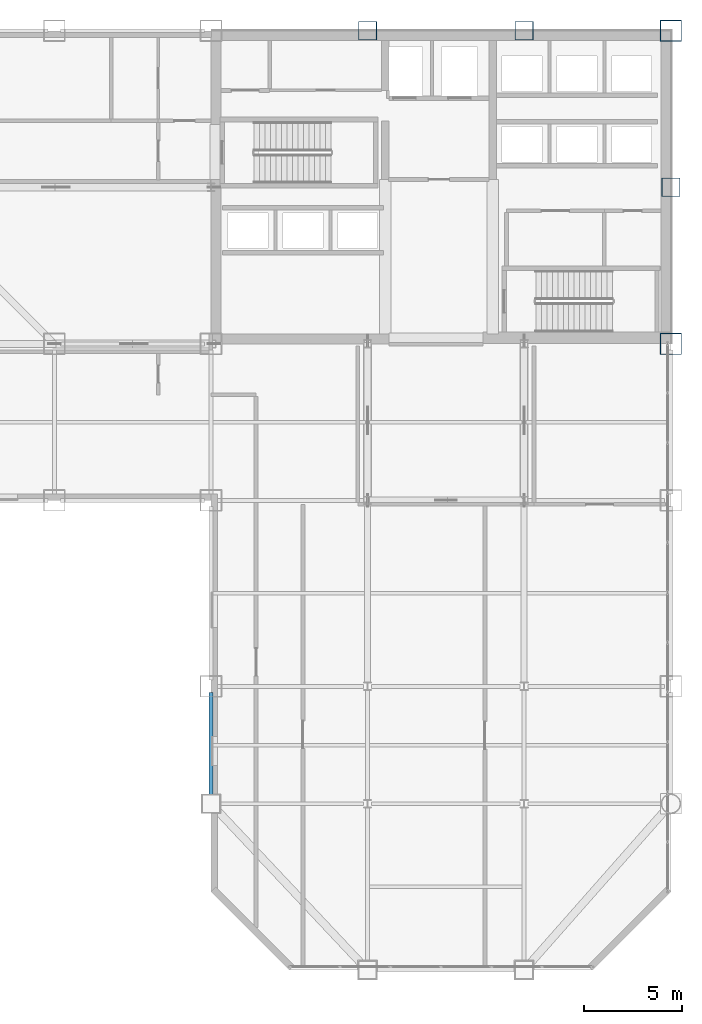
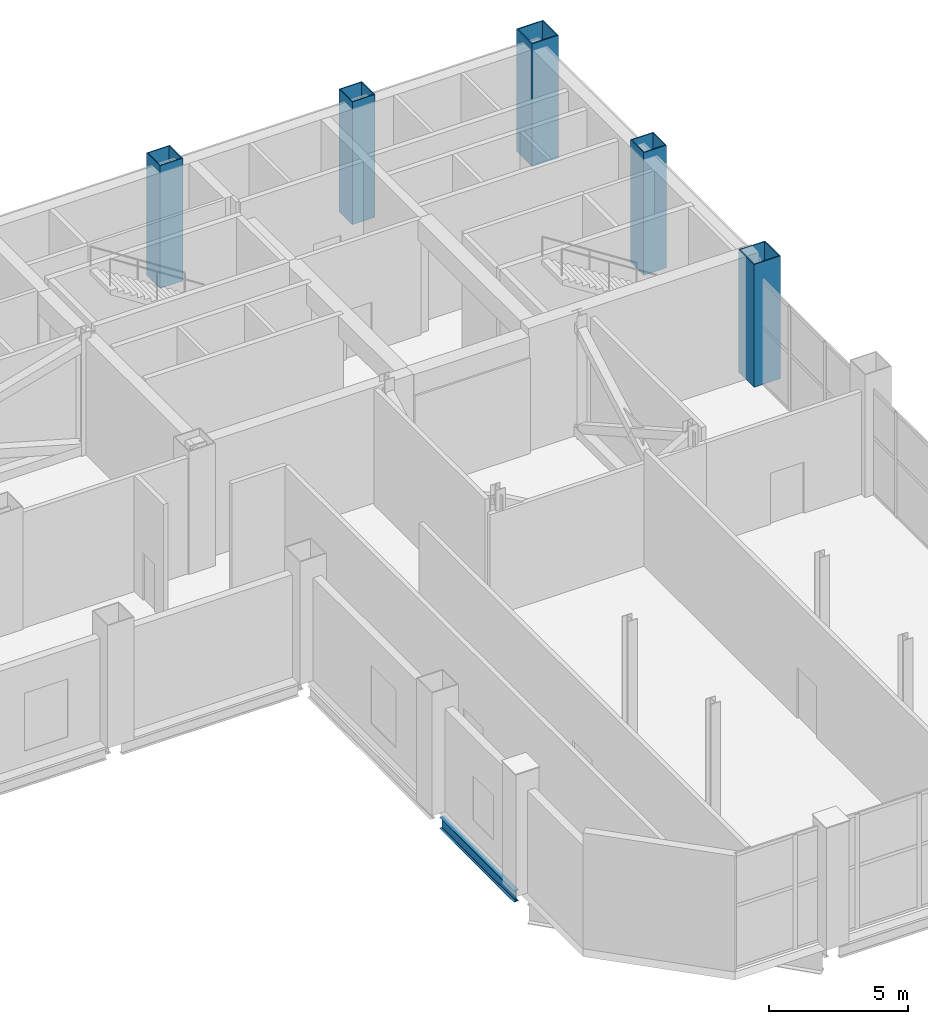
# One storey, part 4 of 24: 5 columns, 1 beam.
"""IFC4 building model written with IfcOpenShell, lengths in metres."""

import ifcopenshell
import ifcopenshell.guid

model = None  # the IFC model being written
_history = None  # IfcOwnerHistory: only IFC2X3 demands one
_inside = {}  # id of a spatial element -> (the spatial element, [elements in it])
_under = {}  # id of a project, library or spatial element -> (it, [spatial elements below it])
_declared = {}  # id of a project -> (the project, [libraries it declares])
_typed = {}  # id of a type object -> (the type object, [elements of that type])
_made_of = {}  # id of a material, layer set ... -> (it, [elements and type objects made of it])


def new_model(schema):
    """Start an empty IFC model of exactly this schema.

    Asked for "IFC4X3", IfcOpenShell would pick the latest addendum, in which some entities
    have other attributes; the version numbers below select the first issue.
    IFC2X3 requires an IfcOwnerHistory on every rooted entity: one is made here for all.
    """
    global model, _history
    if schema == "IFC4X3":
        model = ifcopenshell.file(schema_version=(4, 3, 0, 0))
    else:
        model = ifcopenshell.file(schema=schema)
    _inside.clear()
    _under.clear()
    _declared.clear()
    _typed.clear()
    _made_of.clear()
    _history = None
    if model.schema == "IFC2X3":
        org = make("IfcOrganization", Name="unknown")
        user = make(
            "IfcPersonAndOrganization",
            ThePerson=make("IfcPerson", FamilyName="unknown"),
            TheOrganization=org,
        )
        app = make(
            "IfcApplication",
            ApplicationDeveloper=org,
            Version="unknown",
            ApplicationFullName="unknown",
            ApplicationIdentifier="unknown",
        )
        _history = make(
            "IfcOwnerHistory",
            OwningUser=user,
            OwningApplication=app,
            ChangeAction="ADDED",
            CreationDate=0,
        )
    return model


def make(cls, **values):
    """One entity of the class cls with the attributes given. An attribute that is None is left unset."""
    return model.create_entity(
        cls, **{name: value for name, value in values.items() if value is not None}
    )


def rooted(cls, **values):
    """An entity with a GlobalId (a new one), such as an element, a storey or a relation."""
    return make(cls, GlobalId=ifcopenshell.guid.new(), OwnerHistory=_history, **values)


def si_unit(unit_type, name, prefix=None):
    """IfcSIUnit, for example si_unit("LENGTHUNIT", "METRE", prefix="MILLI")."""
    return make("IfcSIUnit", UnitType=unit_type, Prefix=prefix, Name=name)


def assignment(units):
    """IfcUnitAssignment: the units of a project."""
    return None if units is None else make("IfcUnitAssignment", Units=units)


def point(xyz):
    """IfcCartesianPoint."""
    return None if xyz is None else make("IfcCartesianPoint", Coordinates=xyz)


def direction(xyz):
    """IfcDirection."""
    return None if xyz is None else make("IfcDirection", DirectionRatios=xyz)


def frame(location, z_axis=None, x_axis=None):
    """IfcAxis2Placement3D, a coordinate frame: its origin and axes. An axis left out is left unset."""
    return make(
        "IfcAxis2Placement3D",
        Location=point(location),
        Axis=direction(z_axis),
        RefDirection=direction(x_axis),
    )


def frame_2d(location, x_axis=None):
    """IfcAxis2Placement2D, a coordinate frame in the plane: its origin and x axis."""
    return make(
        "IfcAxis2Placement2D", Location=point(location), RefDirection=direction(x_axis)
    )


def origin():
    """The frame at (0, 0, 0) with its axes left unset."""
    return frame((0.0, 0.0, 0.0))


def origin_2d():
    """The frame at (0, 0) in the plane with its x axis left unset."""
    return frame_2d((0.0, 0.0))


def place(relative_to, where):
    """IfcLocalPlacement: puts the frame where relative to a parent placement (None: the world)."""
    return make(
        "IfcLocalPlacement", PlacementRelTo=relative_to, RelativePlacement=where
    )


def context(
    kind, dimensions, precision=None, world=None, true_north=None, identifier=None
):
    """IfcGeometricRepresentationContext, for example the 3D "Model" context."""
    return make(
        "IfcGeometricRepresentationContext",
        ContextIdentifier=identifier,
        ContextType=kind,
        CoordinateSpaceDimension=dimensions,
        Precision=precision,
        WorldCoordinateSystem=world,
        TrueNorth=true_north,
    )


def subcontext(parent, identifier, kind, view, scale=None):
    """IfcGeometricRepresentationSubContext, for example "Body" below "Model"."""
    return make(
        "IfcGeometricRepresentationSubContext",
        ContextIdentifier=identifier,
        ContextType=kind,
        ParentContext=parent,
        TargetScale=scale,
        TargetView=view,
    )


def project(units=None, contexts=None):
    """IfcProject with its units and contexts."""
    return rooted(
        "IfcProject",
        Name="project",
        RepresentationContexts=contexts,
        UnitsInContext=assignment(units),
    )


def spatial(cls, under=None, at=None, **own):
    """A site, building, storey or space (cls), placed at a placement, below another one or the project."""
    s = rooted(cls, ObjectPlacement=at, **own)
    if under is not None:
        _under.setdefault(under.id(), (under, []))[1].append(s)
    return s


def profile(cls, at=None, kind="AREA", **sizes):
    """A parametric profile (cls). Its sizes go by their IFC names, for example OverallWidth=200.0."""
    return make(cls, ProfileType=kind, Position=at, **sizes)


def hollow_rectangle(**sizes):
    """IfcRectangleHollowProfileDef."""
    return profile("IfcRectangleHollowProfileDef", **sizes)


def i_section(**sizes):
    """IfcIShapeProfileDef."""
    return profile("IfcIShapeProfileDef", **sizes)


def extrude(swept, where, along, depth):
    """IfcExtrudedAreaSolid: the profile swept, set in the frame where, extruded along a direction by depth."""
    return make(
        "IfcExtrudedAreaSolid",
        SweptArea=swept,
        Position=where,
        ExtrudedDirection=direction(along),
        Depth=depth,
    )


def shape(context_of_items, identifier, shape_type, items):
    """IfcShapeRepresentation: the items that make up one representation, for example the "Body"."""
    return make(
        "IfcShapeRepresentation",
        ContextOfItems=context_of_items,
        RepresentationIdentifier=identifier,
        RepresentationType=shape_type,
        Items=items,
    )


def material(Name=None, Category=None):
    """IfcMaterial."""
    return make("IfcMaterial", Name=Name, Category=Category)


def material_profile(
    of_material, cross_section, Name=None, Category=None, Priority=None
):
    """IfcMaterialProfile: a cross section and its material."""
    return make(
        "IfcMaterialProfile",
        Name=Name,
        Material=of_material,
        Profile=cross_section,
        Priority=Priority,
        Category=Category,
    )


def profile_set(profiles, Name=None, composite=None):
    """IfcMaterialProfileSet."""
    return make(
        "IfcMaterialProfileSet",
        Name=Name,
        MaterialProfiles=profiles,
        CompositeProfile=composite,
    )


def made_of(thing, what):
    """Note that an element or type object is made of a material, layer set ...; save() writes the relation."""
    if what is not None:
        _made_of.setdefault(what.id(), (what, []))[1].append(thing)
    return thing


def type_object(cls, material=None, **own):
    """A type object (cls), such as IfcWallType, which elements share."""
    return made_of(rooted(cls, **own), material)


def element(
    cls,
    number,
    at=None,
    inside=None,
    cuts=None,
    type_object=None,
    material=None,
    context=None,
    identifier="Body",
    shape_type=None,
    held_by="IfcProductDefinitionShape",
    body=None,
    shapes=None,
    **own,
):
    """One element of the class cls, such as IfcWall. Its Tag is "e" and its number.

    at: its placement. inside: the storey or other place that contains it. cuts: it is an
    opening in that element (IfcRelVoidsElement). A single representation is given by context,
    identifier, shape_type and body (its items); several are given by shapes. held_by: the class
    of the entity that holds the representations. save() writes the other relations.
    """
    e = rooted(cls, Tag="e%d" % number, ObjectPlacement=at, **own)
    if body is not None:
        shapes = [shape(context, identifier, shape_type, body)]
    if shapes is not None:
        e.Representation = make(held_by, Representations=shapes)
    if inside is not None:
        _inside.setdefault(inside.id(), (inside, []))[1].append(e)
    if cuts is not None:
        rooted(
            "IfcRelVoidsElement", RelatingBuildingElement=cuts, RelatedOpeningElement=e
        )
    if type_object is not None:
        _typed.setdefault(type_object.id(), (type_object, []))[1].append(e)
    return made_of(e, material)


def aggregate(whole, parts):
    """IfcRelAggregates: a whole, such as a stair, and the parts it consists of."""
    return rooted("IfcRelAggregates", RelatingObject=whole, RelatedObjects=parts)


def save(model, path):
    """Write the relations noted so far, then the file.

    IfcRelAggregates (storeys below a building ...), IfcRelContainedInSpatialStructure (elements
    in a storey), IfcRelDefinesByType, IfcRelAssociatesMaterial and IfcRelDeclares: one each for
    every whole, place, type object, material and project.
    """
    for whole, parts in _under.values():
        aggregate(whole, parts)
    for where, things in _inside.values():
        rooted(
            "IfcRelContainedInSpatialStructure",
            RelatedElements=things,
            RelatingStructure=where,
        )
    for kind, things in _typed.values():
        rooted("IfcRelDefinesByType", RelatedObjects=things, RelatingType=kind)
    for what, things in _made_of.values():
        rooted("IfcRelAssociatesMaterial", RelatedObjects=things, RelatingMaterial=what)
    for by, libraries in _declared.values():
        rooted("IfcRelDeclares", RelatingContext=by, RelatedDefinitions=libraries)
    model.write(path)


model = new_model("IFC4")

# Units and contexts
model_context = context("Model", 3, precision=1e-05, world=origin(), true_north=direction((0.0, 1.0)))
body_context = subcontext(model_context, "Body", "Model", "MODEL_VIEW")
ifc_project = project(units=[si_unit("LENGTHUNIT", "METRE"), si_unit("AREAUNIT", "SQUARE_METRE"), si_unit("VOLUMEUNIT", "CUBIC_METRE"), si_unit("PLANEANGLEUNIT", "RADIAN"), si_unit("MASSUNIT", "GRAM", prefix="KILO")], contexts=[model_context])

# Site, building, storey
site_placement = place(None, origin())
site = spatial("IfcSite", under=ifc_project, at=site_placement, CompositionType="ELEMENT")
building_placement = place(site_placement, origin())
building = spatial("IfcBuilding", under=site, at=building_placement, Name="Qianrong Seaharbour Tower", CompositionType="ELEMENT")
storey_placement = place(building_placement, frame((0.0, 0.0, 195.0)))
storey = spatial("IfcBuildingStorey", under=building, at=storey_placement, Name="L47", CompositionType="ELEMENT", Elevation=195.0)

# Columns
ifc_material = material(Name="Structural steel SN490B", Category="steel")
ifc_material_profile_1 = material_profile(ifc_material, hollow_rectangle(XDim=1.10009765625, YDim=1.10009765625, WallThickness=0.0400390625, at=origin_2d()), Name="BOX1100x1100x40")
ifc_profile_set_1 = profile_set([ifc_material_profile_1], Name="Structural steel SN490B")
column_type_1 = type_object("IfcColumnType", Name="COL-CFT-1100", PredefinedType="COLUMN", material=ifc_profile_set_1)
for number, where, z_axis, x_axis, name in (
    (1, (64.0, 36.0, 0.0), (0.0, 0.0, 1.0), (1.0, 0.0, 0.0), "L47 Column MC-3 at G9/GF"),
    (2, (64.0, 52.0, 0.0), (0.0, 0.0, 1.0), (1.0, 0.0, 0.0), "L47 Column MC-3 at G9/GH"),
):
    element("IfcColumn", number, at=place(storey_placement, frame(where, z_axis=z_axis, x_axis=x_axis)), inside=storey, type_object=column_type_1, Name=name, PredefinedType="COLUMN", context=body_context, shape_type="SweptSolid", body=[
        extrude(hollow_rectangle(XDim=1.10009765625, YDim=1.10009765625, WallThickness=0.0400390625, at=origin_2d()), origin(), (0.0, 0.0, 1.0), 5.39990234375),
    ])
ifc_material_profile_2 = material_profile(ifc_material, hollow_rectangle(XDim=0.949951171875, YDim=0.949951171875, WallThickness=0.035888671875, at=origin_2d()), Name="BOX950x950x36")
ifc_profile_set_2 = profile_set([ifc_material_profile_2], Name="Structural steel SN490B")
column_type_2 = type_object("IfcColumnType", Name="COL-PER-950", PredefinedType="COLUMN", material=ifc_profile_set_2)
for number, where, z_axis, x_axis, name in (
    (3, (48.5, 52.0, 0.0), (0.0, 0.0, 1.0), (1.0, 0.0, 0.0), "L47 Column PC-2 at G7/GH"),
    (4, (56.5, 52.0, 0.0), (0.0, 0.0, 1.0), (1.0, 0.0, 0.0), "L47 Column PC-2 at G8/GH"),
    (5, (64.0, 44.0, 0.0), (0.0, 0.0, 1.0), (1.0, 0.0, 0.0), "L47 Column PC-2 at G9/GG"),
):
    element("IfcColumn", number, at=place(storey_placement, frame(where, z_axis=z_axis, x_axis=x_axis)), inside=storey, type_object=column_type_2, Name=name, PredefinedType="COLUMN", context=body_context, shape_type="SweptSolid", body=[
        extrude(hollow_rectangle(XDim=0.949951171875, YDim=0.949951171875, WallThickness=0.035888671875, at=origin_2d()), origin(), (0.0, 0.0, 1.0), 5.39990234375),
    ])

# Beam
ifc_material_profile_3 = material_profile(ifc_material, i_section(OverallWidth=0.199951171875, OverallDepth=0.5, WebThickness=0.010009765625, FlangeThickness=0.01611328125, FilletRadius=0.02001953125, at=origin_2d()), Name="H500x200x10x16")
ifc_profile_set_3 = profile_set([ifc_material_profile_3], Name="Structural steel SN490B")
beam_type = type_object("IfcBeamType", Name="BM-SP-500", PredefinedType="SPANDREL", material=ifc_profile_set_3)
beam_placement = place(storey_placement, frame((40.5, 12.820068359375, -0.60009765625), z_axis=(0.0, 1.0, 0.0), x_axis=(-1.0, 0.0, 0.0)))
element("IfcBeam", 6, at=beam_placement, inside=storey, type_object=beam_type, Name="L47 Spandrel Girder G6 GC-GD", PredefinedType="SPANDREL", context=body_context, shape_type="SweptSolid", body=[
    extrude(i_section(OverallWidth=0.199951171875, OverallDepth=0.5, WebThickness=0.010009765625, FlangeThickness=0.01611328125, FilletRadius=0.02001953125, at=origin_2d()), origin(), (0.0, 0.0, 1.0), 5.35986328125),
])

save(model, "model.ifc")
